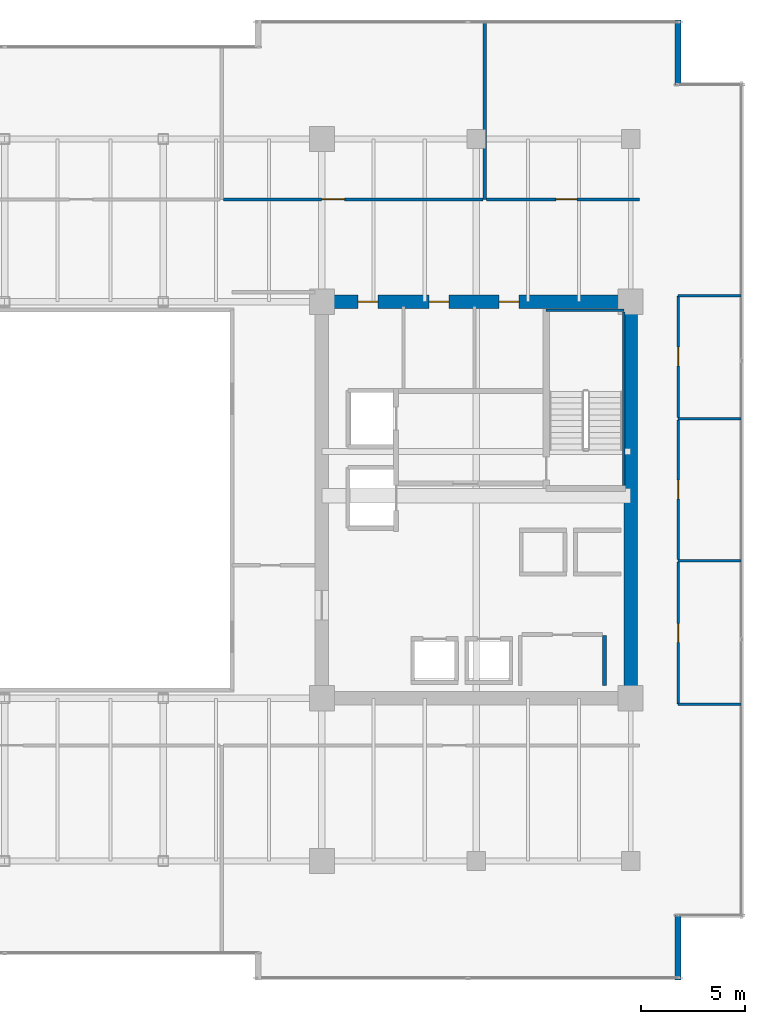
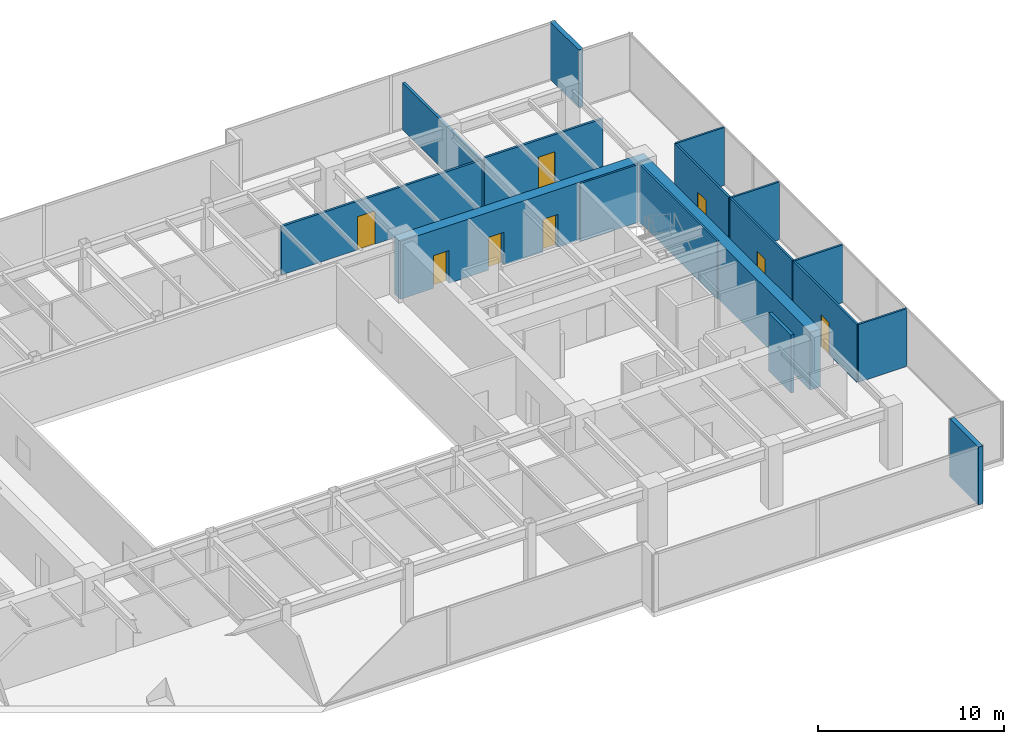
# One storey, part 28 of 31: 17 walls, 8 doors, 8 openings.
"""IFC4 building model written with IfcOpenShell, lengths in metres."""

from ifc_helpers import new_model, si_unit, direction, frame, frame_2d, origin, place, context, subcontext, project, spatial, rectangle, extrude, source, transform, mapped, material, layer, layer_set, type_object, type_shapes, element, fill, save


model = new_model("IFC4")

# Units and contexts
model_context = context("Model", 3, precision=1e-05, world=origin(), true_north=direction((0.0, 1.0)))
body_context = subcontext(model_context, "Body", "Model", "MODEL_VIEW")
ifc_project = project(units=[si_unit("LENGTHUNIT", "METRE"), si_unit("AREAUNIT", "SQUARE_METRE"), si_unit("VOLUMEUNIT", "CUBIC_METRE"), si_unit("PLANEANGLEUNIT", "RADIAN"), si_unit("MASSUNIT", "GRAM", prefix="KILO")], contexts=[model_context])

# Site, building, storey
site_placement = place(None, origin())
site = spatial("IfcSite", under=ifc_project, at=site_placement, CompositionType="ELEMENT")
building_placement = place(site_placement, origin())
building = spatial("IfcBuilding", under=site, at=building_placement, Name="Haelvirn Gate Laboratories", CompositionType="ELEMENT")
storey_placement = place(building_placement, frame((0.0, 0.0, 150.199951171875)))
storey = spatial("IfcBuildingStorey", under=building, at=storey_placement, Name="L36", CompositionType="ELEMENT", Elevation=150.199951171875)

# Walls
ifc_material_1 = material(Name="Thermally-broken bronze aluminium rainscreen & mineral wool", Category="aluminium")
ifc_layer_1 = layer(ifc_material_1, 0.280029296875, Name="EW-TERR-280")
ifc_layer_set_1 = layer_set([ifc_layer_1], Name="Thermally-broken bronze aluminium rainscreen & mineral wool")
wall_type_1 = type_object("IfcWallType", Name="EW-TERR-280", PredefinedType="STANDARD", material=ifc_layer_set_1)
wall_1_placement = place(storey_placement, frame((69.659912109375, 1.300048828125, 0.0), z_axis=(0.0, 0.0, 1.0), x_axis=(0.0, 1.0, 0.0)))
element("IfcWall", 1, at=wall_1_placement, inside=storey, type_object=wall_type_1, Name="L36 Atrium Recess Bronze Return Wall 05", PredefinedType="STANDARD", context=body_context, shape_type="SweptSolid", body=[
    extrude(rectangle(XDim=3.087890625, YDim=0.280029296875, at=frame_2d((1.5439453125, 0.0))), origin(), (0.0, 0.0, 1.0), 3.7900390625),
])
wall_2_placement = place(storey_placement, frame((69.659912109375, 44.2119140625, 0.0), z_axis=(0.0, 0.0, 1.0), x_axis=(0.0, 1.0, 0.0)))
element("IfcWall", 2, at=wall_2_placement, inside=storey, type_object=wall_type_1, Name="L36 Atrium Recess Bronze Return Wall 09", PredefinedType="STANDARD", context=body_context, shape_type="SweptSolid", body=[
    extrude(rectangle(XDim=3.088134765625, YDim=0.280029296875, at=frame_2d((1.5439453125, 0.0))), origin(), (0.0, 0.0, 1.0), 3.7900390625),
])
ifc_material_2 = material(Name="Double-layer acoustic gypsum laboratory partition", Category="gypsum")
ifc_layer_2 = layer(ifc_material_2, 0.159912109375, Name="IW-ACOUST-160")
ifc_layer_set_2 = layer_set([ifc_layer_2], Name="Double-layer acoustic gypsum laboratory partition")
wall_type_2 = type_object("IfcWallType", Name="IW-ACOUST-160", PredefinedType="PARTITIONING", material=ifc_layer_set_2)
wall_3_placement = place(storey_placement, frame((60.39990234375, 38.705078125, 0.0), z_axis=(0.0, 0.0, 1.0), x_axis=(0.0, 1.0, 0.0)))
element("IfcWall", 3, at=wall_3_placement, inside=storey, type_object=wall_type_2, Name="L36 Interior Wall IW-L36-NDIV-04", PredefinedType="PARTITIONING", context=body_context, shape_type="SweptSolid", body=[
    extrude(rectangle(XDim=8.48486328125, YDim=0.159912109375, at=frame_2d((4.242431640625, 0.0))), origin(), (0.0, 0.0, 1.0), 3.074951171875),
])
ifc_material_3 = material(Name="Lightweight acoustic gypsum board partition", Category="gypsum")
ifc_layer_3 = layer(ifc_material_3, 0.1201171875, Name="IW-PART-120")
ifc_layer_set_3 = layer_set([ifc_layer_3], Name="Lightweight acoustic gypsum board partition")
wall_type_3 = type_object("IfcWallType", Name="IW-PART-120", PredefinedType="PARTITIONING", material=ifc_layer_set_3)
for number, where, z_axis, x_axis, name in (
    (4, (69.669921875, 14.514892578125, 0.0), (0.0, 0.0, 1.0), (1.0, 0.0, 0.0), "L36 Interior Wall IW-L36-ECAP-S"),
    (5, (69.669921875, 34.0849609375, 0.0), (0.0, 0.0, 1.0), (1.0, 0.0, 0.0), "L36 Interior Wall IW-L36-ECAP-N"),
):
    element("IfcWall", number, at=place(storey_placement, frame(where, z_axis=z_axis, x_axis=x_axis)), inside=storey, type_object=wall_type_3, Name=name, PredefinedType="PARTITIONING", context=body_context, shape_type="SweptSolid", body=[
        extrude(rectangle(XDim=3.02001953125, YDim=0.1201171875, at=frame_2d((1.510009765625, 0.0))), origin(), (0.0, 0.0, 1.0), 3.7900390625),
    ])

# Wall, opening, door
wall_4_placement = place(storey_placement, frame((69.669921875, 14.514892578125, 0.0), z_axis=(0.0, 0.0, 1.0), x_axis=(0.0, 1.0, 0.0)))
wall_4 = element("IfcWall", 6, at=wall_4_placement, inside=storey, type_object=wall_type_3, Name="L36 Interior Wall IW-L36-EPASS-01", PredefinedType="PARTITIONING", context=body_context, shape_type="SweptSolid", body=[
    extrude(rectangle(XDim=6.8251953125, YDim=0.1201171875, at=frame_2d((3.41259765625, 0.0))), origin(), (0.0, 0.0, 1.0), 3.7900390625),
])
opening_1_placement = place(wall_4_placement, frame((2.96240234375, 0.0, 0.0)))
opening_1 = element("IfcOpeningElement", 7, at=opening_1_placement, cuts=wall_4, Name="Opening D4", PredefinedType="OPENING", context=body_context, shape_type="SweptSolid", body=[
    extrude(rectangle(XDim=0.89990234375, YDim=2.10009765625, at=frame_2d((0.449951171875, 1.050048828125))), frame((0.0, 0.070068359375, 0.0), z_axis=(0.0, -1.0, 0.0), x_axis=(1.0, 0.0, 0.0)), (0.0, 0.0, 1.0), 0.14013671875),
])
ifc_material_4 = material(Name="Glazed aluminium-framed write-up door", Category="aluminium")
door_type_1 = type_object("IfcDoorType", Name="DR-OFF-900", OperationType="NOTDEFINED", PredefinedType="DOOR", material=ifc_material_4)
shared_shape_1 = source(origin(), body_context, "Body", "SweptSolid", [
    extrude(rectangle(XDim=0.89990234375, YDim=2.10009765625, at=frame_2d((0.449951171875, 1.050048828125))), frame((0.0, 0.02490234375, 0.0), z_axis=(0.0, -1.0, 0.0), x_axis=(1.0, 0.0, 0.0)), (0.0, 0.0, 1.0), 0.050048828125),
])
type_shapes(door_type_1, [shared_shape_1])
door_1_placement = place(opening_1_placement, origin())
door_1 = element("IfcDoor", 8, at=door_1_placement, inside=storey, type_object=door_type_1, Name="L36 Proteomics Mass-Spec Laboratory Door E1", OperationType="SINGLE_SWING_LEFT", OverallHeight=2.10009765625, OverallWidth=0.89990234375, PredefinedType="DOOR", context=body_context, shape_type="MappedRepresentation", body=[
    mapped(shared_shape_1, transform((0.0, 0.0, 0.0), scale=1.0)),
])
fill(opening_1, door_1)

# Wall
wall_5_placement = place(storey_placement, frame((69.669921875, 21.39990234375, 0.0), z_axis=(0.0, 0.0, 1.0), x_axis=(1.0, 0.0, 0.0)))
element("IfcWall", 9, at=wall_5_placement, inside=storey, type_object=wall_type_3, Name="L36 Interior Wall IW-L36-EDIV-01", PredefinedType="PARTITIONING", context=body_context, shape_type="SweptSolid", body=[
    extrude(rectangle(XDim=3.02001953125, YDim=0.1201171875, at=frame_2d((1.510009765625, 0.0))), origin(), (0.0, 0.0, 1.0), 3.7900390625),
])

# Wall, opening, door
wall_6_placement = place(storey_placement, frame((69.669921875, 21.4599609375, 0.0), z_axis=(0.0, 0.0, 1.0), x_axis=(0.0, 1.0, 0.0)))
wall_6 = element("IfcWall", 10, at=wall_6_placement, inside=storey, type_object=wall_type_3, Name="L36 Interior Wall IW-L36-EPASS-02", PredefinedType="PARTITIONING", context=body_context, shape_type="SweptSolid", body=[
    extrude(rectangle(XDim=6.679931640625, YDim=0.1201171875, at=frame_2d((3.33984375, 0.0))), origin(), (0.0, 0.0, 1.0), 3.7900390625),
])
opening_2_placement = place(wall_6_placement, frame((2.889892578125, 0.0, 0.0)))
opening_2 = element("IfcOpeningElement", 11, at=opening_2_placement, cuts=wall_6, Name="Opening D4", PredefinedType="OPENING", context=body_context, shape_type="SweptSolid", body=[
    extrude(rectangle(XDim=0.89990234375, YDim=2.10009765625, at=frame_2d((0.449951171875, 1.050048828125))), frame((0.0, 0.070068359375, 0.0), z_axis=(0.0, -1.0, 0.0), x_axis=(1.0, 0.0, 0.0)), (0.0, 0.0, 1.0), 0.14013671875),
])
door_2_placement = place(opening_2_placement, origin())
door_2 = element("IfcDoor", 12, at=door_2_placement, inside=storey, type_object=door_type_1, Name="L36 Chemical Synthesis Laboratory Door E2", OperationType="SINGLE_SWING_RIGHT", OverallHeight=2.10009765625, OverallWidth=0.89990234375, PredefinedType="DOOR", context=body_context, shape_type="MappedRepresentation", body=[
    mapped(shared_shape_1, transform((0.0, 0.0, 0.0), scale=1.0)),
])
fill(opening_2, door_2)

# Wall
wall_7_placement = place(storey_placement, frame((69.669921875, 28.199951171875, 0.0), z_axis=(0.0, 0.0, 1.0), x_axis=(1.0, 0.0, 0.0)))
element("IfcWall", 13, at=wall_7_placement, inside=storey, type_object=wall_type_3, Name="L36 Interior Wall IW-L36-EDIV-02", PredefinedType="PARTITIONING", context=body_context, shape_type="SweptSolid", body=[
    extrude(rectangle(XDim=3.02001953125, YDim=0.1201171875, at=frame_2d((1.510009765625, 0.0))), origin(), (0.0, 0.0, 1.0), 3.7900390625),
])

# Wall, opening, door
wall_8_placement = place(storey_placement, frame((69.669921875, 28.260009765625, 0.0), z_axis=(0.0, 0.0, 1.0), x_axis=(0.0, 1.0, 0.0)))
wall_8 = element("IfcWall", 14, at=wall_8_placement, inside=storey, type_object=wall_type_3, Name="L36 Interior Wall IW-L36-EPASS-03", PredefinedType="PARTITIONING", context=body_context, shape_type="SweptSolid", body=[
    extrude(rectangle(XDim=5.824951171875, YDim=0.1201171875, at=frame_2d((2.91259765625, 0.0))), origin(), (0.0, 0.0, 1.0), 3.7900390625),
])
opening_3_placement = place(wall_8_placement, frame((2.46240234375, 0.0, 0.0)))
opening_3 = element("IfcOpeningElement", 15, at=opening_3_placement, cuts=wall_8, Name="Opening D4", PredefinedType="OPENING", context=body_context, shape_type="SweptSolid", body=[
    extrude(rectangle(XDim=0.89990234375, YDim=2.10009765625, at=frame_2d((0.449951171875, 1.050048828125))), frame((0.0, 0.070068359375, 0.0), z_axis=(0.0, -1.0, 0.0), x_axis=(1.0, 0.0, 0.0)), (0.0, 0.0, 1.0), 0.14013671875),
])
door_3_placement = place(opening_3_placement, origin())
door_3 = element("IfcDoor", 16, at=door_3_placement, inside=storey, type_object=door_type_1, Name="L36 Bioprocess Foundry Laboratory Door E3", OperationType="SINGLE_SWING_LEFT", OverallHeight=2.10009765625, OverallWidth=0.89990234375, PredefinedType="DOOR", context=body_context, shape_type="MappedRepresentation", body=[
    mapped(shared_shape_1, transform((0.0, 0.0, 0.0), scale=1.0)),
])
fill(opening_3, door_3)

ifc_material_5 = material(Name="Acoustic mineral-wool gypsum board partition", Category="gypsum")
ifc_layer_4 = layer(ifc_material_5, 0.139892578125, Name="IW-PART-140")
ifc_layer_set_4 = layer_set([ifc_layer_4], Name="Acoustic mineral-wool gypsum board partition")
wall_type_4 = type_object("IfcWallType", Name="IW-PART-140", PredefinedType="PARTITIONING", material=ifc_layer_set_4)
wall_9_placement = place(storey_placement, frame((47.8798828125, 38.705078125, 0.0), z_axis=(0.0, 0.0, 1.0), x_axis=(1.0, 0.0, 0.0)))
wall_9 = element("IfcWall", 17, at=wall_9_placement, inside=storey, type_object=wall_type_4, Name="L36 Interior Wall IW-L36-NCORR-04", PredefinedType="PARTITIONING", context=body_context, shape_type="SweptSolid", body=[
    extrude(rectangle(XDim=12.440185546875, YDim=0.139892578125, at=frame_2d((6.22021484375, 0.0))), origin(), (0.0, 0.0, 1.0), 3.18701171875),
])
opening_4_placement = place(wall_9_placement, frame((4.71240234375, 0.0, 0.0)))
opening_4 = element("IfcOpeningElement", 18, at=opening_4_placement, cuts=wall_9, Name="Opening D1", PredefinedType="OPENING", context=body_context, shape_type="SweptSolid", body=[
    extrude(rectangle(XDim=1.10009765625, YDim=2.179931640625, at=frame_2d((0.550048828125, 1.08984375))), frame((0.0, 0.080078125, 0.0), z_axis=(0.0, -1.0, 0.0), x_axis=(1.0, 0.0, 0.0)), (0.0, 0.0, 1.0), 0.159912109375),
])
ifc_material_6 = material(Name="Vision-panel acoustic solid-core timber lab door", Category="wood")
door_type_2 = type_object("IfcDoorType", Name="DR-LAB-1100", OperationType="NOTDEFINED", PredefinedType="DOOR", material=ifc_material_6)
shared_shape_2 = source(origin(), body_context, "Body", "SweptSolid", [
    extrude(rectangle(XDim=1.10009765625, YDim=2.179931640625, at=frame_2d((0.550048828125, 1.08984375))), frame((0.0, 0.02490234375, 0.0), z_axis=(0.0, -1.0, 0.0), x_axis=(1.0, 0.0, 0.0)), (0.0, 0.0, 1.0), 0.050048828125),
])
type_shapes(door_type_2, [shared_shape_2])
door_4_placement = place(opening_4_placement, origin())
door_4 = element("IfcDoor", 19, at=door_4_placement, inside=storey, type_object=door_type_2, Name="L36 Occupational Biosafety Clinic Door N4", OperationType="SINGLE_SWING_LEFT", OverallHeight=2.179931640625, OverallWidth=1.10009765625, PredefinedType="DOOR", context=body_context, shape_type="MappedRepresentation", body=[
    mapped(shared_shape_2, transform((0.0, 0.0, 0.0), scale=1.0)),
])
fill(opening_4, door_4)

wall_10_placement = place(storey_placement, frame((60.47998046875, 38.705078125, 0.0), z_axis=(0.0, 0.0, 1.0), x_axis=(1.0, 0.0, 0.0)))
wall_10 = element("IfcWall", 20, at=wall_10_placement, inside=storey, type_object=wall_type_4, Name="L36 Interior Wall IW-L36-NCORR-05", PredefinedType="PARTITIONING", context=body_context, shape_type="SweptSolid", body=[
    extrude(rectangle(XDim=7.340087890625, YDim=0.139892578125, at=frame_2d((3.669921875, 0.0))), origin(), (0.0, 0.0, 1.0), 3.275146484375),
])
opening_5_placement = place(wall_10_placement, frame((3.339111328125, 0.0, 0.0)))
opening_5 = element("IfcOpeningElement", 21, at=opening_5_placement, cuts=wall_10, Name="Opening D2", PredefinedType="OPENING", context=body_context, shape_type="SweptSolid", body=[
    extrude(rectangle(XDim=1.0, YDim=2.14990234375, at=frame_2d((0.5, 1.074951171875))), frame((0.0, 0.080078125, 0.0), z_axis=(0.0, -1.0, 0.0), x_axis=(1.0, 0.0, 0.0)), (0.0, 0.0, 1.0), 0.159912109375),
])
ifc_material_7 = material(Name="Acoustic solid-core timber suite door", Category="wood")
door_type_3 = type_object("IfcDoorType", Name="DR-INT-1000", OperationType="NOTDEFINED", PredefinedType="DOOR", material=ifc_material_7)
shared_shape_3 = source(origin(), body_context, "Body", "SweptSolid", [
    extrude(rectangle(XDim=1.0, YDim=2.14990234375, at=frame_2d((0.5, 1.074951171875))), frame((0.0, 0.02490234375, 0.0), z_axis=(0.0, -1.0, 0.0), x_axis=(1.0, 0.0, 0.0)), (0.0, 0.0, 1.0), 0.050048828125),
])
type_shapes(door_type_3, [shared_shape_3])
door_5_placement = place(opening_5_placement, origin())
door_5 = element("IfcDoor", 22, at=door_5_placement, inside=storey, type_object=door_type_3, Name="L36 Computational Write-Up Office Door N5", OperationType="SINGLE_SWING_RIGHT", OverallHeight=2.14990234375, OverallWidth=1.0, PredefinedType="DOOR", context=body_context, shape_type="MappedRepresentation", body=[
    mapped(shared_shape_3, transform((0.0, 0.0, 0.0), scale=1.0)),
])
fill(opening_5, door_5)

# Wall
ifc_material_8 = material(Name="Concrete C40/50", Category="concrete")
ifc_layer_5 = layer(ifc_material_8, 0.179931640625, Name="IW-SHAFT-180")
ifc_layer_set_5 = layer_set([ifc_layer_5], Name="Concrete C40/50")
wall_type_5 = type_object("IfcWallType", Name="IW-SHAFT-180", PredefinedType="SOLIDWALL", material=ifc_layer_set_5)
wall_11_placement = place(storey_placement, frame((66.139892578125, 15.39990234375, 0.0), z_axis=(0.0, 0.0, 1.0), x_axis=(0.0, 1.0, 0.0)))
element("IfcWall", 23, at=wall_11_placement, inside=storey, type_object=wall_type_5, Name="L36 Interior Wall IW-L36-E-FREED-LW-1", PredefinedType="SOLIDWALL", context=body_context, shape_type="SweptSolid", body=[
    extrude(rectangle(XDim=2.400146484375, YDim=0.179931640625, at=frame_2d((1.2001953125, 0.0))), origin(), (0.0, 0.0, 1.0), 3.7900390625),
])

# Wall, openings, doors
ifc_material_9 = material(Name="Concrete C60/75", Category="concrete")
ifc_layer_6 = layer(ifc_material_9, 0.64990234375, Name="SW-CORE-650")
ifc_layer_set_6 = layer_set([ifc_layer_6], Name="Concrete C60/75")
wall_type_6 = type_object("IfcWallType", Name="SW-CORE-650", PredefinedType="SHEAR", material=ifc_layer_set_6)
wall_12_placement = place(storey_placement, frame((52.27490234375, 33.800048828125, 0.0), z_axis=(0.0, 0.0, 1.0), x_axis=(1.0, 0.0, 0.0)))
wall_12 = element("IfcWall", 24, at=wall_12_placement, inside=storey, type_object=wall_type_6, Name="L36 E Core Shear Wall N", PredefinedType="SHEAR", context=body_context, shape_type="SweptSolid", body=[
    extrude(rectangle(XDim=15.4501953125, YDim=0.64990234375, at=frame_2d((7.72509765625, 0.0))), origin(), (0.0, 0.0, 1.0), 3.7900390625),
])
opening_6_placement = place(wall_12_placement, frame((8.824951171875, 0.0, 0.0)))
opening_6 = element("IfcOpeningElement", 25, at=opening_6_placement, cuts=wall_12, Name="Opening FD4", PredefinedType="OPENING", context=body_context, shape_type="SweptSolid", body=[
    extrude(rectangle(XDim=0.949951171875, YDim=2.14990234375, at=frame_2d((0.47509765625, 1.074951171875))), frame((0.0, 0.3349609375, 0.0), z_axis=(0.0, -1.0, 0.0), x_axis=(1.0, 0.0, 0.0)), (0.0, 0.0, 1.0), 0.669921875),
])
opening_7_placement = place(wall_12_placement, frame((5.4599609375, 0.0, 0.0)))
opening_7 = element("IfcOpeningElement", 26, at=opening_7_placement, cuts=wall_12, Name="Opening FD4", PredefinedType="OPENING", context=body_context, shape_type="SweptSolid", body=[
    extrude(rectangle(XDim=0.949951171875, YDim=2.14990234375, at=frame_2d((0.47509765625, 1.074951171875))), frame((0.0, 0.3349609375, 0.0), z_axis=(0.0, -1.0, 0.0), x_axis=(1.0, 0.0, 0.0)), (0.0, 0.0, 1.0), 0.669921875),
])
opening_8_placement = place(wall_12_placement, frame((2.06005859375, 0.0, 0.0)))
opening_8 = element("IfcOpeningElement", 27, at=opening_8_placement, cuts=wall_12, Name="Opening FD4", PredefinedType="OPENING", context=body_context, shape_type="SweptSolid", body=[
    extrude(rectangle(XDim=0.949951171875, YDim=2.14990234375, at=frame_2d((0.47509765625, 1.074951171875))), frame((0.0, 0.3349609375, 0.0), z_axis=(0.0, -1.0, 0.0), x_axis=(1.0, 0.0, 0.0)), (0.0, 0.0, 1.0), 0.669921875),
])
ifc_material_10 = material(Name="Fire-rated steel SM355 core service door", Category="steel")
door_type_4 = type_object("IfcDoorType", Name="DR-FD-950", OperationType="NOTDEFINED", PredefinedType="DOOR", material=ifc_material_10)
shared_shape_4 = source(origin(), body_context, "Body", "SweptSolid", [
    extrude(rectangle(XDim=0.949951171875, YDim=2.14990234375, at=frame_2d((0.47509765625, 1.074951171875))), frame((0.0, 0.02490234375, 0.0), z_axis=(0.0, -1.0, 0.0), x_axis=(1.0, 0.0, 0.0)), (0.0, 0.0, 1.0), 0.050048828125),
])
type_shapes(door_type_4, [shared_shape_4])
door_6_placement = place(opening_6_placement, origin())
door_6 = element("IfcDoor", 28, at=door_6_placement, inside=storey, type_object=door_type_4, Name="L36 Male Restroom Fire Door", OperationType="SINGLE_SWING_LEFT", OverallHeight=2.14990234375, OverallWidth=0.949951171875, PredefinedType="DOOR", context=body_context, shape_type="MappedRepresentation", body=[
    mapped(shared_shape_4, transform((0.0, 0.0, 0.0), scale=1.0)),
])
fill(opening_6, door_6)
door_7_placement = place(opening_7_placement, origin())
door_7 = element("IfcDoor", 29, at=door_7_placement, inside=storey, type_object=door_type_4, Name="L36 Female Restroom Fire Door", OperationType="SINGLE_SWING_RIGHT", OverallHeight=2.14990234375, OverallWidth=0.949951171875, PredefinedType="DOOR", context=body_context, shape_type="MappedRepresentation", body=[
    mapped(shared_shape_4, transform((0.0, 0.0, 0.0), scale=1.0)),
])
fill(opening_7, door_7)
door_8_placement = place(opening_8_placement, origin())
door_8 = element("IfcDoor", 30, at=door_8_placement, inside=storey, type_object=door_type_4, Name="L36 Accessible Restroom Fire Door", OperationType="SINGLE_SWING_LEFT", OverallHeight=2.14990234375, OverallWidth=0.949951171875, PredefinedType="DOOR", context=body_context, shape_type="MappedRepresentation", body=[
    mapped(shared_shape_4, transform((0.0, 0.0, 0.0), scale=1.0)),
])
fill(opening_8, door_8)

# Walls
wall_13_placement = place(storey_placement, frame((67.39990234375, 15.125, 0.0), z_axis=(0.0, 0.0, 1.0), x_axis=(0.0, 1.0, 0.0)))
element("IfcWall", 31, at=wall_13_placement, inside=storey, type_object=wall_type_6, Name="L36 E Core Shear Wall E", PredefinedType="SHEAR", context=body_context, shape_type="SweptSolid", body=[
    extrude(rectangle(XDim=18.35009765625, YDim=0.64990234375, at=frame_2d((9.175048828125, 0.0))), origin(), (0.0, 0.0, 1.0), 3.7900390625),
])
ifc_material_11 = material(Name="Concrete C50/60", Category="concrete")
ifc_layer_7 = layer(ifc_material_11, 0.1201171875, Name="SW-LINER-120")
ifc_layer_set_7 = layer_set([ifc_layer_7], Name="Concrete C50/60")
wall_type_7 = type_object("IfcWallType", Name="SW-LINER-120", PredefinedType="SOLIDWALL", material=ifc_layer_set_7)
wall_14_placement = place(storey_placement, frame((63.35009765625, 33.39990234375, 0.0), z_axis=(0.0, 0.0, 1.0), x_axis=(1.0, 0.0, 0.0)))
element("IfcWall", 32, at=wall_14_placement, inside=storey, type_object=wall_type_7, Name="L36 E Core Stair Shaft Liner Wall N", PredefinedType="SOLIDWALL", context=body_context, shape_type="SweptSolid", body=[
    extrude(rectangle(XDim=3.719970703125, YDim=0.1201171875, at=frame_2d((1.85986328125, 0.0))), origin(), (0.0, 0.0, 1.0), 3.7900390625),
])
wall_15_placement = place(storey_placement, frame((67.070068359375, 25.0, 0.0), z_axis=(0.0, 0.0, 1.0), x_axis=(0.0, 1.0, 0.0)))
element("IfcWall", 33, at=wall_15_placement, inside=storey, type_object=wall_type_7, Name="L36 E Core Stair Shaft Liner Wall OUT", PredefinedType="SOLIDWALL", context=body_context, shape_type="SweptSolid", body=[
    extrude(rectangle(XDim=8.320068359375, YDim=0.1201171875, at=frame_2d((4.16015625, 0.0))), origin(), (0.0, 0.0, 1.0), 3.7900390625),
])

save(model, "model.ifc")
